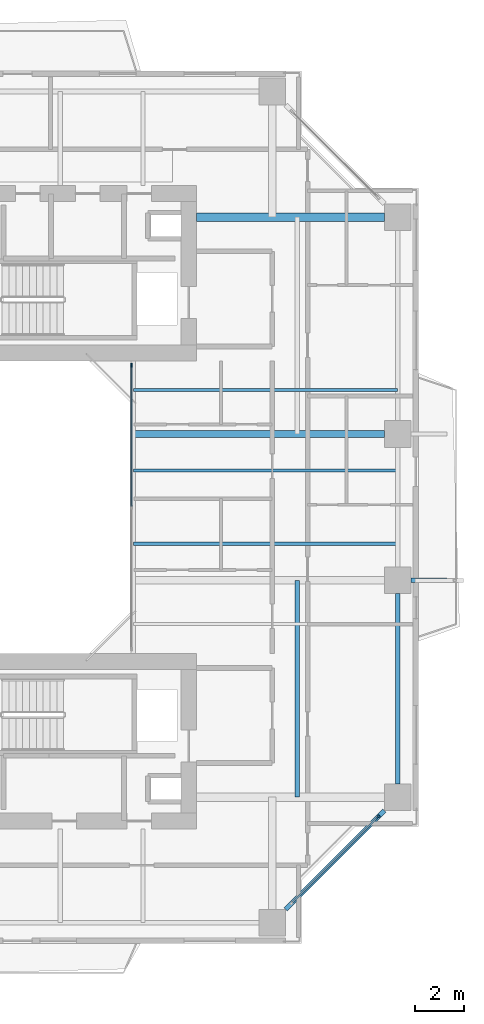
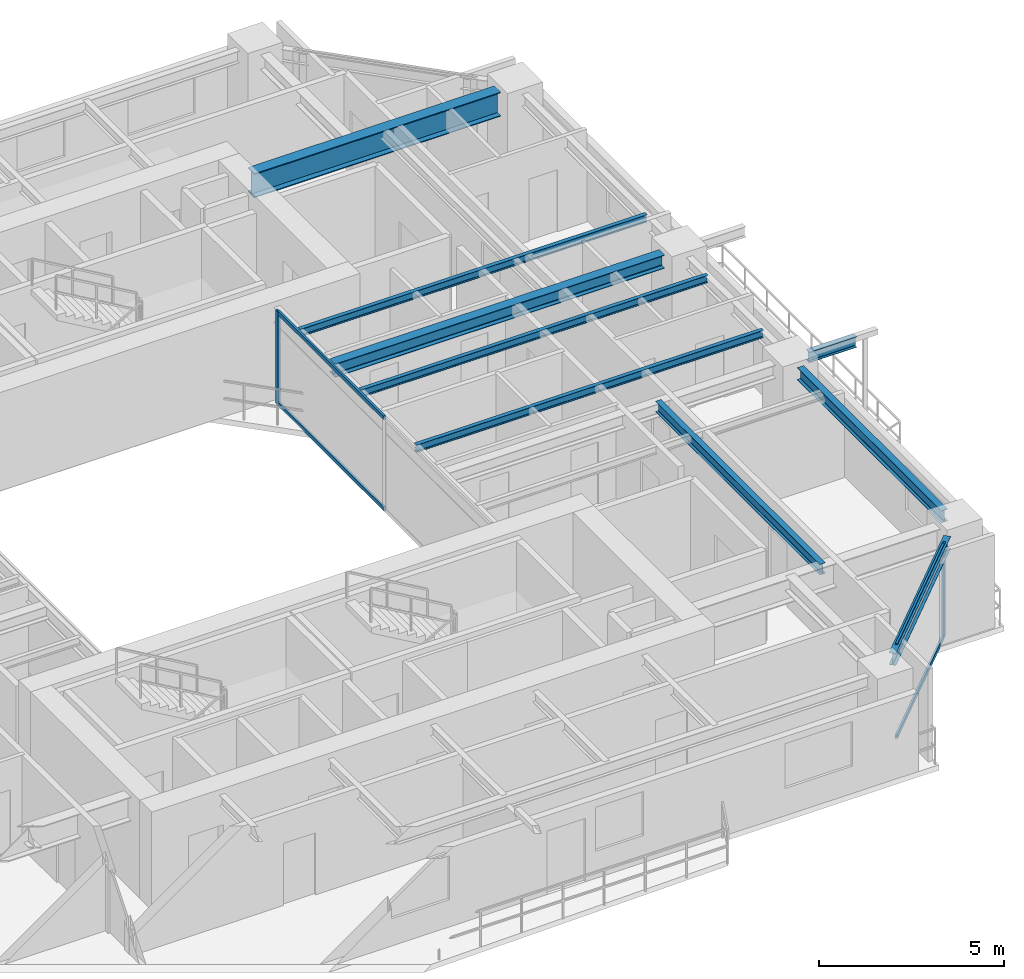
# One storey, part 6 of 17: 9 beams, 6 members, 2 elements without a shape of their own.
"""IFC4 building model written with IfcOpenShell, lengths in metres."""

from ifc_helpers import new_model, si_unit, direction, frame, origin, origin_2d, place, context, subcontext, project, spatial, rectangle, i_section, extrude, source, transform, mapped, material, layer, layer_set, material_profile, profile_set, type_object, element, aggregate, save


model = new_model("IFC4")

# Units and contexts
model_context = context("Model", 3, precision=1e-05, world=origin(), true_north=direction((0.0, 1.0)))
body_context = subcontext(model_context, "Body", "Model", "MODEL_VIEW")
ifc_project = project(units=[si_unit("LENGTHUNIT", "METRE"), si_unit("AREAUNIT", "SQUARE_METRE"), si_unit("VOLUMEUNIT", "CUBIC_METRE"), si_unit("PLANEANGLEUNIT", "RADIAN"), si_unit("MASSUNIT", "GRAM", prefix="KILO"), si_unit("THERMODYNAMICTEMPERATUREUNIT", "KELVIN"), si_unit("POWERUNIT", "WATT")], contexts=[model_context])

# Site, building, storey
site_placement = place(None, origin())
site = spatial("IfcSite", under=ifc_project, at=site_placement, CompositionType="ELEMENT")
building_placement = place(site_placement, origin())
building = spatial("IfcBuilding", under=site, at=building_placement, Name="Qiaomeng Ring Towers", CompositionType="ELEMENT")
storey_placement = place(building_placement, frame((0.0, 0.0, 126.25)))
storey = spatial("IfcBuildingStorey", under=building, at=storey_placement, Name="L36", CompositionType="ELEMENT", Elevation=126.25)

# Beams
ifc_material_1 = material(Name="Steel Q355B", Category="steel")
ifc_material_profile_1 = material_profile(ifc_material_1, i_section(OverallWidth=0.175048828125, OverallDepth=0.35009765625, WebThickness=0.007080078125, FlangeThickness=0.010986328125, FilletRadius=0.013916015625, at=origin_2d()), Name="HN 350x175x7x11")
ifc_profile_set_1 = profile_set([ifc_material_profile_1], Name="Steel Q355B")
beam_type_1 = type_object("IfcBeamType", Name="STR-BM-HN350", PredefinedType="JOIST", material=ifc_profile_set_1)
shared_shape_1 = source(origin(), body_context, "Body", "SweptSolid", [
    extrude(i_section(OverallWidth=0.175048828125, OverallDepth=0.35009765625, WebThickness=0.007080078125, FlangeThickness=0.010986328125, FilletRadius=0.013916015625, at=origin_2d()), origin(), (0.0, 0.0, 1.0), 1.48095703125),
])
beam_1_placement = place(storey_placement, frame((36.59912109375, 20.0, 2.89501953125), z_axis=(1.0, 0.0, 0.0), x_axis=(0.0, 1.0, 0.0)))
element("IfcBeam", 1, at=beam_1_placement, inside=storey, type_object=beam_type_1, Name="L36 beam STR-BALBM-L36-E2", PredefinedType="JOIST", context=body_context, shape_type="MappedRepresentation", body=[
    mapped(shared_shape_1, transform((0.0, 0.0, 0.0), x_axis=(1.0, 0.0, 0.0), y_axis=(0.0, 1.0, 0.0), z_axis=(0.0, 0.0, 1.0), scale=1.0)),
])
ifc_material_profile_2 = material_profile(ifc_material_1, i_section(OverallWidth=0.199951171875, OverallDepth=0.39990234375, WebThickness=0.008056640625, FlangeThickness=0.012939453125, FilletRadius=0.01611328125, at=origin_2d()), Name="HN 400x200x8x13")
ifc_profile_set_2 = profile_set([ifc_material_profile_2], Name="Steel Q355B")
beam_type_2 = type_object("IfcBeamType", Name="STR-BM-HN400", PredefinedType="SPANDREL", material=ifc_profile_set_2)
shared_shape_2 = source(origin(), body_context, "Body", "SweptSolid", [
    extrude(i_section(OverallWidth=0.199951171875, OverallDepth=0.39990234375, WebThickness=0.008056640625, FlangeThickness=0.012939453125, FilletRadius=0.01611328125, at=origin_2d()), origin(), (0.0, 0.0, 1.0), 5.729736328125),
])
beam_2_placement = place(storey_placement, frame((31.44921875, 6.499267578125, 2.8701171875), z_axis=(0.707106781187, 0.707106781187, 0.0), x_axis=(-0.707106781187, 0.707106781187, 0.0)))
element("IfcBeam", 2, at=beam_2_placement, inside=storey, type_object=beam_type_2, Name="L36 beam STR-SP-L36-T1-S2-E1", PredefinedType="SPANDREL", context=body_context, shape_type="MappedRepresentation", body=[
    mapped(shared_shape_2, transform((0.0, 0.0, 0.0), x_axis=(1.0, 0.0, 0.0), y_axis=(0.0, 1.0, 0.0), z_axis=(0.0, 0.0, 1.0), scale=1.0)),
])
shared_shape_3 = source(origin(), body_context, "Body", "SweptSolid", [
    extrude(i_section(OverallWidth=0.199951171875, OverallDepth=0.39990234375, WebThickness=0.008056640625, FlangeThickness=0.012939453125, FilletRadius=0.01611328125, at=origin_2d()), origin(), (0.0, 0.0, 1.0), 7.802001953125),
])
beam_3_placement = place(storey_placement, frame((36.050048828125, 11.64892578125, 2.8701171875), z_axis=(0.0, 1.0, 0.0), x_axis=(-1.0, 0.0, 0.0)))
element("IfcBeam", 3, at=beam_3_placement, inside=storey, type_object=beam_type_2, Name="L36 beam STR-SP-L36-T1-E1-E2", PredefinedType="SPANDREL", context=body_context, shape_type="MappedRepresentation", body=[
    mapped(shared_shape_3, transform((0.0, 0.0, 0.0), x_axis=(1.0, 0.0, 0.0), y_axis=(0.0, 1.0, 0.0), z_axis=(0.0, 0.0, 1.0), scale=1.0)),
])
ifc_material_2 = material(Name="Steel Q390GJC", Category="steel")
ifc_material_profile_3 = material_profile(ifc_material_2, i_section(OverallWidth=0.35009765625, OverallDepth=0.800048828125, WebThickness=0.01611328125, FlangeThickness=0.028076171875, at=origin_2d()), Name="WH 800x350x16x28")
ifc_profile_set_3 = profile_set([ifc_material_profile_3], Name="Steel Q390GJC")
beam_type_3 = type_object("IfcBeamType", Name="STR-BM-WH800", PredefinedType="BEAM", material=ifc_profile_set_3)
shared_shape_4 = source(origin(), body_context, "Body", "SweptSolid", [
    extrude(i_section(OverallWidth=0.35009765625, OverallDepth=0.800048828125, WebThickness=0.01611328125, FlangeThickness=0.028076171875, at=origin_2d()), origin(), (0.0, 0.0, 1.0), 7.700927734375),
])
beam_4_placement = place(storey_placement, frame((27.800048828125, 34.89990234375, 2.669921875), z_axis=(1.0, 0.0, 0.0), x_axis=(0.0, 1.0, 0.0)))
element("IfcBeam", 4, at=beam_4_placement, inside=storey, type_object=beam_type_3, Name="L36 beam STR-BM-L36-T1-RAD-E4", PredefinedType="BEAM", context=body_context, shape_type="MappedRepresentation", body=[
    mapped(shared_shape_4, transform((0.0, 0.0, 0.0), x_axis=(1.0, 0.0, 0.0), y_axis=(0.0, 1.0, 0.0), z_axis=(0.0, 0.0, 1.0), scale=1.0)),
])
ifc_material_profile_4 = material_profile(ifc_material_1, i_section(OverallWidth=0.300048828125, OverallDepth=0.43994140625, WebThickness=0.010986328125, FlangeThickness=0.01806640625, FilletRadius=0.02392578125, at=origin_2d()), Name="HM 440x300x11x18")
ifc_profile_set_4 = profile_set([ifc_material_profile_4], Name="Steel Q355B")
beam_type_4 = type_object("IfcBeamType", Name="STR-BM-HM440", PredefinedType="BEAM", material=ifc_profile_set_4)
shared_shape_5 = source(origin(), body_context, "Body", "SweptSolid", [
    extrude(i_section(OverallWidth=0.300048828125, OverallDepth=0.43994140625, WebThickness=0.010986328125, FlangeThickness=0.01806640625, FilletRadius=0.02392578125, at=origin_2d()), origin(), (0.0, 0.0, 1.0), 10.301025390625),
])
beam_5_placement = place(storey_placement, frame((25.199951171875, 26.0, 2.85009765625), z_axis=(1.0, 0.0, 0.0), x_axis=(0.0, 1.0, 0.0)))
element("IfcBeam", 5, at=beam_5_placement, inside=storey, type_object=beam_type_4, Name="L36 beam STR-BM-L36-T1-RAD-E3", PredefinedType="BEAM", context=body_context, shape_type="MappedRepresentation", body=[
    mapped(shared_shape_5, transform((0.0, 0.0, 0.0), x_axis=(1.0, 0.0, 0.0), y_axis=(0.0, 1.0, 0.0), z_axis=(0.0, 0.0, 1.0), scale=1.0)),
])
ifc_material_profile_5 = material_profile(ifc_material_1, i_section(OverallWidth=0.125, OverallDepth=0.25, WebThickness=0.006103515625, FlangeThickness=0.009033203125, FilletRadius=0.011962890625, at=origin_2d()), Name="HN 250x125x6x9")
ifc_profile_set_5 = profile_set([ifc_material_profile_5], Name="Steel Q355B")
beam_type_5 = type_object("IfcBeamType", Name="STR-BM-HN250", PredefinedType="JOIST", material=ifc_profile_set_5)
shared_shape_6 = source(origin(), body_context, "Body", "SweptSolid", [
    extrude(i_section(OverallWidth=0.125, OverallDepth=0.25, WebThickness=0.006103515625, FlangeThickness=0.009033203125, FilletRadius=0.011962890625, at=origin_2d()), origin(), (0.0, 0.0, 1.0), 10.85009765625),
])
for number, where, z_axis, x_axis, name in (
    (6, (25.199951171875, 21.5, 2.945068359375), (1.0, 0.0, 0.0), (0.0, 1.0, 0.0), "L36 beam STR-JST-L36-T1E-2"),
    (7, (25.199951171875, 24.5, 2.945068359375), (1.0, 0.0, 0.0), (0.0, 1.0, 0.0), "L36 beam STR-JST-L36-T1E-3"),
    (8, (25.199951171875, 27.800048828125, 2.945068359375), (1.0, 0.0, 0.0), (0.0, 1.0, 0.0), "L36 beam STR-JST-L36-T1E-4"),
):
    element("IfcBeam", number, at=place(storey_placement, frame(where, z_axis=z_axis, x_axis=x_axis)), inside=storey, type_object=beam_type_5, Name=name, PredefinedType="JOIST", context=body_context, shape_type="MappedRepresentation", body=[
        mapped(shared_shape_6, transform((0.0, 0.0, 0.0), x_axis=(1.0, 0.0, 0.0), y_axis=(0.0, 1.0, 0.0), z_axis=(0.0, 0.0, 1.0), scale=1.0)),
    ])
shared_shape_7 = source(origin(), body_context, "Body", "SweptSolid", [
    extrude(i_section(OverallWidth=0.175048828125, OverallDepth=0.35009765625, WebThickness=0.007080078125, FlangeThickness=0.010986328125, FilletRadius=0.013916015625, at=origin_2d()), origin(), (0.0, 0.0, 1.0), 8.89990234375),
])
beam_6_placement = place(storey_placement, frame((31.925048828125, 11.10009765625, 2.89501953125), z_axis=(0.0, 1.0, 0.0), x_axis=(-1.0, 0.0, 0.0)))
element("IfcBeam", 9, at=beam_6_placement, inside=storey, type_object=beam_type_1, Name="L36 beam STR-JST-L36-T1C-ES", PredefinedType="JOIST", context=body_context, shape_type="MappedRepresentation", body=[
    mapped(shared_shape_7, transform((0.0, 0.0, 0.0), x_axis=(1.0, 0.0, 0.0), y_axis=(0.0, 1.0, 0.0), z_axis=(0.0, 0.0, 1.0), scale=1.0)),
])

# Curtain wall, members
ifc_material_3 = material(Name="Fluorocarbon dark-grey aluminium", Category="aluminium")
ifc_layer_1 = layer(ifc_material_3, 0.139892578125, Name="Fluorocarbon dark-grey aluminium")
ifc_layer_set_1 = layer_set([ifc_layer_1], Name="Fluorocarbon dark-grey aluminium")
curtain_wall_type_1 = type_object("IfcCurtainWallType", Name="ARC-CW-4", PredefinedType="NOTDEFINED", material=ifc_layer_set_1)
curtain_wall_1_placement = place(storey_placement, origin())
curtain_wall_1 = element("IfcCurtainWall", 10, at=curtain_wall_1_placement, inside=storey, type_object=curtain_wall_type_1, Name="L36 Curtain Wall CW4", PredefinedType="NOTDEFINED")
ifc_material_profile_6 = material_profile(ifc_material_3, rectangle(XDim=0.06494140625, YDim=0.159912109375, at=origin_2d()), Name="ALU MULL 65x160")
ifc_profile_set_6 = profile_set([ifc_material_profile_6], Name="Fluorocarbon dark-grey aluminium")
member_type_1 = type_object("IfcMemberType", Name="ARC-CWM-140", PredefinedType="MULLION", material=ifc_profile_set_6)
shared_shape_8 = source(origin(), body_context, "Body", "SweptSolid", [
    extrude(rectangle(XDim=0.06494140625, YDim=0.159912109375, at=origin_2d()), origin(), (0.0, 0.0, 1.0), 3.070068359375),
])
member_1_placement = place(storey_placement, frame((25.1201171875, 28.8173828125, 0.0), z_axis=(0.0, 0.0, 1.0), x_axis=(-1.0, 0.0, 0.0)))
member_1 = element("IfcMember", 11, at=member_1_placement, type_object=member_type_1, Name="CW4 mullion 3", PredefinedType="MULLION", context=body_context, shape_type="MappedRepresentation", body=[
    mapped(shared_shape_8, transform((0.0, 0.0, 0.0), x_axis=(1.0, 0.0, 0.0), y_axis=(0.0, 1.0, 0.0), z_axis=(0.0, 0.0, 1.0), scale=1.0)),
])
ifc_material_profile_7 = material_profile(ifc_material_3, rectangle(XDim=0.06494140625, YDim=0.1298828125, at=origin_2d()), Name="ALU TRAN 65x130")
ifc_profile_set_7 = profile_set([ifc_material_profile_7], Name="Fluorocarbon dark-grey aluminium")
member_type_2 = type_object("IfcMemberType", Name="ARC-CWT-120", PredefinedType="USERDEFINED", material=ifc_profile_set_7)
shared_shape_9 = source(origin(), body_context, "Body", "SweptSolid", [
    extrude(rectangle(XDim=0.06494140625, YDim=0.1298828125, at=origin_2d()), origin(), (0.0, 0.0, 1.0), 5.75244140625),
])
member_2_placement = place(storey_placement, frame((25.1201171875, 23.032470703125, 0.032470703125), z_axis=(0.0, 1.0, 0.0), x_axis=(-1.0, 0.0, 0.0)))
member_2 = element("IfcMember", 12, at=member_2_placement, type_object=member_type_2, Name="CW4 transom 2.1", ObjectType="TRANSOM", PredefinedType="USERDEFINED", context=body_context, shape_type="MappedRepresentation", body=[
    mapped(shared_shape_9, transform((0.0, 0.0, 0.0), x_axis=(1.0, 0.0, 0.0), y_axis=(0.0, 1.0, 0.0), z_axis=(0.0, 0.0, 1.0), scale=1.0)),
])
member_3_placement = place(storey_placement, frame((25.1201171875, 23.032470703125, 3.03759765625), z_axis=(0.0, 1.0, 0.0), x_axis=(-1.0, 0.0, 0.0)))
member_3 = element("IfcMember", 13, at=member_3_placement, type_object=member_type_2, Name="CW4 transom 2.2", ObjectType="TRANSOM", PredefinedType="USERDEFINED", context=body_context, shape_type="MappedRepresentation", body=[
    mapped(shared_shape_9, transform((0.0, 0.0, 0.0), x_axis=(1.0, 0.0, 0.0), y_axis=(0.0, 1.0, 0.0), z_axis=(0.0, 0.0, 1.0), scale=1.0)),
])
aggregate(curtain_wall_1, [member_1, member_2, member_3])

ifc_layer_2 = layer(ifc_material_3, 0.14990234375, Name="Fluorocarbon dark-grey aluminium")
ifc_layer_set_2 = layer_set([ifc_layer_2], Name="Fluorocarbon dark-grey aluminium")
curtain_wall_type_2 = type_object("IfcCurtainWallType", Name="ARC-CW-3", PredefinedType="NOTDEFINED", material=ifc_layer_set_2)
curtain_wall_2_placement = place(storey_placement, origin())
curtain_wall_2 = element("IfcCurtainWall", 14, at=curtain_wall_2_placement, inside=storey, type_object=curtain_wall_type_2, Name="L36 Curtain Wall CW3", PredefinedType="NOTDEFINED")
ifc_material_profile_8 = material_profile(ifc_material_3, rectangle(XDim=0.070068359375, YDim=0.179931640625, at=origin_2d()), Name="ALU MULL 70x180")
ifc_profile_set_8 = profile_set([ifc_material_profile_8], Name="Fluorocarbon dark-grey aluminium")
member_type_3 = type_object("IfcMemberType", Name="ARC-CWM-160", PredefinedType="MULLION", material=ifc_profile_set_8)
shared_shape_10 = source(origin(), body_context, "Body", "SweptSolid", [
    extrude(rectangle(XDim=0.070068359375, YDim=0.179931640625, at=origin_2d()), origin(), (0.0, 0.0, 1.0), 3.070068359375),
])
member_4_placement = place(storey_placement, frame((35.2353515625, 10.28515625, 0.0), z_axis=(0.0, 0.0, 1.0), x_axis=(-0.707106781187, 0.707106781187, 0.0)))
member_4 = element("IfcMember", 15, at=member_4_placement, type_object=member_type_3, Name="CW3 mullion 2", PredefinedType="MULLION", context=body_context, shape_type="MappedRepresentation", body=[
    mapped(shared_shape_10, transform((0.0, 0.0, 0.0), x_axis=(1.0, 0.0, 0.0), y_axis=(0.0, 1.0, 0.0), z_axis=(0.0, 0.0, 1.0), scale=1.0)),
])
shared_shape_11 = source(origin(), body_context, "Body", "SweptSolid", [
    extrude(rectangle(XDim=0.06494140625, YDim=0.1298828125, at=origin_2d()), origin(), (0.0, 0.0, 1.0), 4.90869140625),
])
member_5_placement = place(storey_placement, frame((31.739501953125, 6.78955078125, 0.032470703125), z_axis=(0.707106781187, 0.707106781187, 0.0), x_axis=(-0.707106781187, 0.707106781187, 0.0)))
member_5 = element("IfcMember", 16, at=member_5_placement, type_object=member_type_2, Name="CW3 transom 1.1", ObjectType="TRANSOM", PredefinedType="USERDEFINED", context=body_context, shape_type="MappedRepresentation", body=[
    mapped(shared_shape_11, transform((0.0, 0.0, 0.0), x_axis=(1.0, 0.0, 0.0), y_axis=(0.0, 1.0, 0.0), z_axis=(0.0, 0.0, 1.0), scale=1.0)),
])
member_6_placement = place(storey_placement, frame((31.739501953125, 6.78955078125, 3.03759765625), z_axis=(0.707106781187, 0.707106781187, 0.0), x_axis=(-0.707106781187, 0.707106781187, 0.0)))
member_6 = element("IfcMember", 17, at=member_6_placement, type_object=member_type_2, Name="CW3 transom 1.2", ObjectType="TRANSOM", PredefinedType="USERDEFINED", context=body_context, shape_type="MappedRepresentation", body=[
    mapped(shared_shape_11, transform((0.0, 0.0, 0.0), x_axis=(1.0, 0.0, 0.0), y_axis=(0.0, 1.0, 0.0), z_axis=(0.0, 0.0, 1.0), scale=1.0)),
])
aggregate(curtain_wall_2, [member_4, member_5, member_6])

save(model, "model.ifc")
